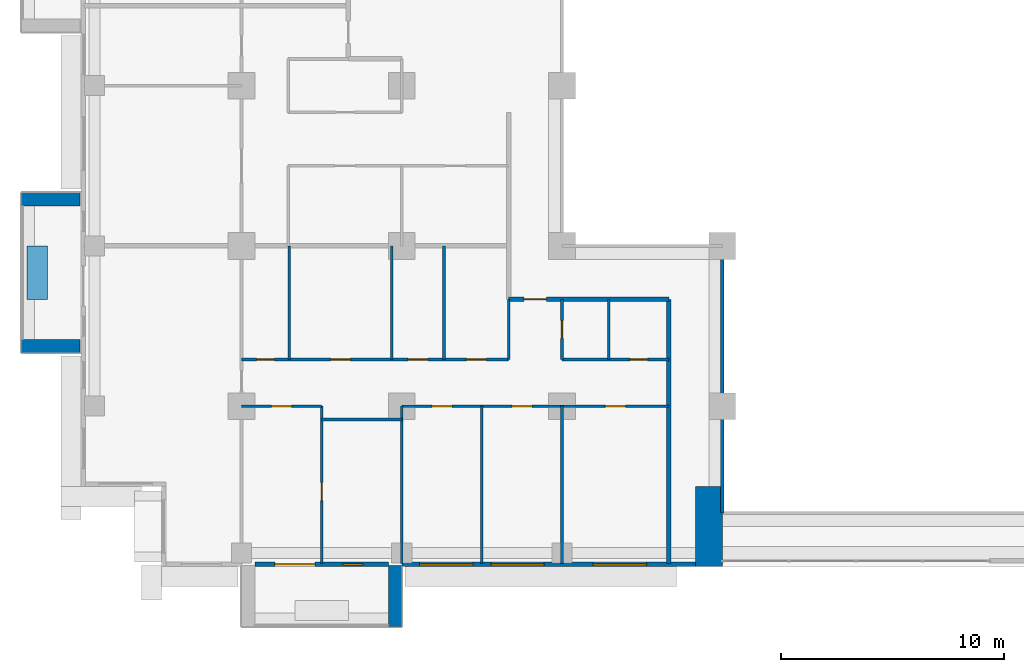
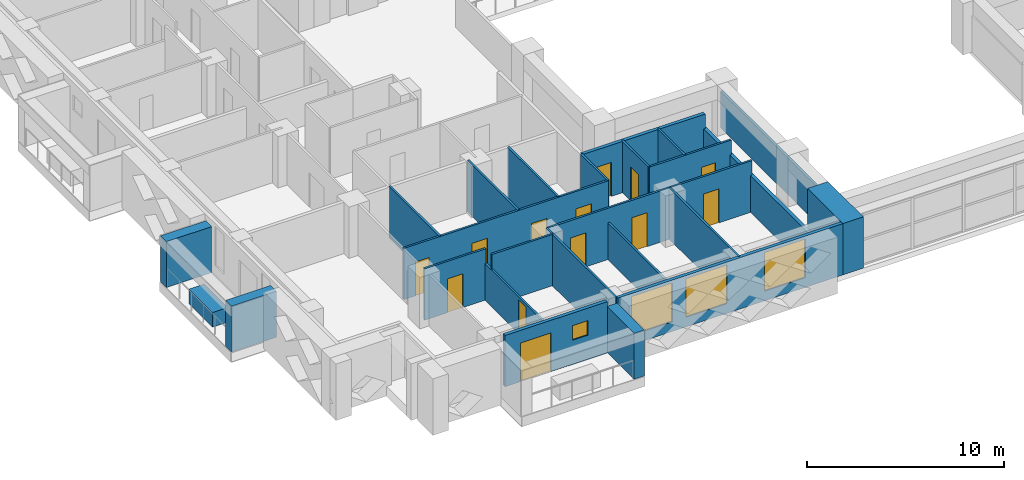
# One storey, part 6 of 17: 25 walls, 13 doors, 4 windows, 17 openings.
"""IFC4 building model written with IfcOpenShell, lengths in metres."""

import ifcopenshell
import ifcopenshell.guid

model = None  # the IFC model being written
_history = None  # IfcOwnerHistory: only IFC2X3 demands one
_inside = {}  # id of a spatial element -> (the spatial element, [elements in it])
_under = {}  # id of a project, library or spatial element -> (it, [spatial elements below it])
_declared = {}  # id of a project -> (the project, [libraries it declares])
_typed = {}  # id of a type object -> (the type object, [elements of that type])
_made_of = {}  # id of a material, layer set ... -> (it, [elements and type objects made of it])


def new_model(schema):
    """Start an empty IFC model of exactly this schema.

    Asked for "IFC4X3", IfcOpenShell would pick the latest addendum, in which some entities
    have other attributes; the version numbers below select the first issue.
    IFC2X3 requires an IfcOwnerHistory on every rooted entity: one is made here for all.
    """
    global model, _history
    if schema == "IFC4X3":
        model = ifcopenshell.file(schema_version=(4, 3, 0, 0))
    else:
        model = ifcopenshell.file(schema=schema)
    _inside.clear()
    _under.clear()
    _declared.clear()
    _typed.clear()
    _made_of.clear()
    _history = None
    if model.schema == "IFC2X3":
        org = make("IfcOrganization", Name="unknown")
        user = make(
            "IfcPersonAndOrganization",
            ThePerson=make("IfcPerson", FamilyName="unknown"),
            TheOrganization=org,
        )
        app = make(
            "IfcApplication",
            ApplicationDeveloper=org,
            Version="unknown",
            ApplicationFullName="unknown",
            ApplicationIdentifier="unknown",
        )
        _history = make(
            "IfcOwnerHistory",
            OwningUser=user,
            OwningApplication=app,
            ChangeAction="ADDED",
            CreationDate=0,
        )
    return model


def make(cls, **values):
    """One entity of the class cls with the attributes given. An attribute that is None is left unset."""
    return model.create_entity(
        cls, **{name: value for name, value in values.items() if value is not None}
    )


def rooted(cls, **values):
    """An entity with a GlobalId (a new one), such as an element, a storey or a relation."""
    return make(cls, GlobalId=ifcopenshell.guid.new(), OwnerHistory=_history, **values)


def si_unit(unit_type, name, prefix=None):
    """IfcSIUnit, for example si_unit("LENGTHUNIT", "METRE", prefix="MILLI")."""
    return make("IfcSIUnit", UnitType=unit_type, Prefix=prefix, Name=name)


def assignment(units):
    """IfcUnitAssignment: the units of a project."""
    return None if units is None else make("IfcUnitAssignment", Units=units)


def point(xyz):
    """IfcCartesianPoint."""
    return None if xyz is None else make("IfcCartesianPoint", Coordinates=xyz)


def direction(xyz):
    """IfcDirection."""
    return None if xyz is None else make("IfcDirection", DirectionRatios=xyz)


def frame(location, z_axis=None, x_axis=None):
    """IfcAxis2Placement3D, a coordinate frame: its origin and axes. An axis left out is left unset."""
    return make(
        "IfcAxis2Placement3D",
        Location=point(location),
        Axis=direction(z_axis),
        RefDirection=direction(x_axis),
    )


def frame_2d(location, x_axis=None):
    """IfcAxis2Placement2D, a coordinate frame in the plane: its origin and x axis."""
    return make(
        "IfcAxis2Placement2D", Location=point(location), RefDirection=direction(x_axis)
    )


def origin():
    """The frame at (0, 0, 0) with its axes left unset."""
    return frame((0.0, 0.0, 0.0))


def place(relative_to, where):
    """IfcLocalPlacement: puts the frame where relative to a parent placement (None: the world)."""
    return make(
        "IfcLocalPlacement", PlacementRelTo=relative_to, RelativePlacement=where
    )


def context(
    kind, dimensions, precision=None, world=None, true_north=None, identifier=None
):
    """IfcGeometricRepresentationContext, for example the 3D "Model" context."""
    return make(
        "IfcGeometricRepresentationContext",
        ContextIdentifier=identifier,
        ContextType=kind,
        CoordinateSpaceDimension=dimensions,
        Precision=precision,
        WorldCoordinateSystem=world,
        TrueNorth=true_north,
    )


def subcontext(parent, identifier, kind, view, scale=None):
    """IfcGeometricRepresentationSubContext, for example "Body" below "Model"."""
    return make(
        "IfcGeometricRepresentationSubContext",
        ContextIdentifier=identifier,
        ContextType=kind,
        ParentContext=parent,
        TargetScale=scale,
        TargetView=view,
    )


def project(units=None, contexts=None):
    """IfcProject with its units and contexts."""
    return rooted(
        "IfcProject",
        Name="project",
        RepresentationContexts=contexts,
        UnitsInContext=assignment(units),
    )


def spatial(cls, under=None, at=None, **own):
    """A site, building, storey or space (cls), placed at a placement, below another one or the project."""
    s = rooted(cls, ObjectPlacement=at, **own)
    if under is not None:
        _under.setdefault(under.id(), (under, []))[1].append(s)
    return s


def profile(cls, at=None, kind="AREA", **sizes):
    """A parametric profile (cls). Its sizes go by their IFC names, for example OverallWidth=200.0."""
    return make(cls, ProfileType=kind, Position=at, **sizes)


def rectangle(**sizes):
    """IfcRectangleProfileDef."""
    return profile("IfcRectangleProfileDef", **sizes)


def extrude(swept, where, along, depth):
    """IfcExtrudedAreaSolid: the profile swept, set in the frame where, extruded along a direction by depth."""
    return make(
        "IfcExtrudedAreaSolid",
        SweptArea=swept,
        Position=where,
        ExtrudedDirection=direction(along),
        Depth=depth,
    )


def shape(context_of_items, identifier, shape_type, items):
    """IfcShapeRepresentation: the items that make up one representation, for example the "Body"."""
    return make(
        "IfcShapeRepresentation",
        ContextOfItems=context_of_items,
        RepresentationIdentifier=identifier,
        RepresentationType=shape_type,
        Items=items,
    )


def material(Name=None, Category=None):
    """IfcMaterial."""
    return make("IfcMaterial", Name=Name, Category=Category)


def layer(
    of_material, thickness, ventilated=None, Name=None, Category=None, Priority=None
):
    """IfcMaterialLayer: one layer of a wall or slab, of a material (None: an air gap)."""
    return make(
        "IfcMaterialLayer",
        Material=of_material,
        LayerThickness=thickness,
        IsVentilated=ventilated,
        Name=Name,
        Category=Category,
        Priority=Priority,
    )


def layer_set(layers, Name=None):
    """IfcMaterialLayerSet."""
    return make("IfcMaterialLayerSet", MaterialLayers=layers, LayerSetName=Name)


def made_of(thing, what):
    """Note that an element or type object is made of a material, layer set ...; save() writes the relation."""
    if what is not None:
        _made_of.setdefault(what.id(), (what, []))[1].append(thing)
    return thing


def type_object(cls, material=None, **own):
    """A type object (cls), such as IfcWallType, which elements share."""
    return made_of(rooted(cls, **own), material)


def element(
    cls,
    number,
    at=None,
    inside=None,
    cuts=None,
    type_object=None,
    material=None,
    context=None,
    identifier="Body",
    shape_type=None,
    held_by="IfcProductDefinitionShape",
    body=None,
    shapes=None,
    **own,
):
    """One element of the class cls, such as IfcWall. Its Tag is "e" and its number.

    at: its placement. inside: the storey or other place that contains it. cuts: it is an
    opening in that element (IfcRelVoidsElement). A single representation is given by context,
    identifier, shape_type and body (its items); several are given by shapes. held_by: the class
    of the entity that holds the representations. save() writes the other relations.
    """
    e = rooted(cls, Tag="e%d" % number, ObjectPlacement=at, **own)
    if body is not None:
        shapes = [shape(context, identifier, shape_type, body)]
    if shapes is not None:
        e.Representation = make(held_by, Representations=shapes)
    if inside is not None:
        _inside.setdefault(inside.id(), (inside, []))[1].append(e)
    if cuts is not None:
        rooted(
            "IfcRelVoidsElement", RelatingBuildingElement=cuts, RelatedOpeningElement=e
        )
    if type_object is not None:
        _typed.setdefault(type_object.id(), (type_object, []))[1].append(e)
    return made_of(e, material)


def fill(opening, filler):
    """IfcRelFillsElement: the door or window that sits in an opening."""
    return rooted(
        "IfcRelFillsElement",
        RelatingOpeningElement=opening,
        RelatedBuildingElement=filler,
    )


def aggregate(whole, parts):
    """IfcRelAggregates: a whole, such as a stair, and the parts it consists of."""
    return rooted("IfcRelAggregates", RelatingObject=whole, RelatedObjects=parts)


def save(model, path):
    """Write the relations noted so far, then the file.

    IfcRelAggregates (storeys below a building ...), IfcRelContainedInSpatialStructure (elements
    in a storey), IfcRelDefinesByType, IfcRelAssociatesMaterial and IfcRelDeclares: one each for
    every whole, place, type object, material and project.
    """
    for whole, parts in _under.values():
        aggregate(whole, parts)
    for where, things in _inside.values():
        rooted(
            "IfcRelContainedInSpatialStructure",
            RelatedElements=things,
            RelatingStructure=where,
        )
    for kind, things in _typed.values():
        rooted("IfcRelDefinesByType", RelatedObjects=things, RelatingType=kind)
    for what, things in _made_of.values():
        rooted("IfcRelAssociatesMaterial", RelatedObjects=things, RelatingMaterial=what)
    for by, libraries in _declared.values():
        rooted("IfcRelDeclares", RelatingContext=by, RelatedDefinitions=libraries)
    model.write(path)


model = new_model("IFC4")

# Units and contexts
model_context = context("Model", 3, precision=1e-05, world=origin(), true_north=direction((0.0, 1.0)))
body_context = subcontext(model_context, "Body", "Model", "MODEL_VIEW")
ifc_project = project(units=[si_unit("LENGTHUNIT", "METRE"), si_unit("AREAUNIT", "SQUARE_METRE"), si_unit("VOLUMEUNIT", "CUBIC_METRE"), si_unit("PLANEANGLEUNIT", "RADIAN"), si_unit("MASSUNIT", "GRAM", prefix="KILO")], contexts=[model_context])

# Site, building, storey
site_placement = place(None, origin())
site = spatial("IfcSite", under=ifc_project, at=site_placement, CompositionType="ELEMENT")
building_placement = place(site_placement, origin())
building = spatial("IfcBuilding", under=site, at=building_placement, Name="Saffron Iwan Residences", CompositionType="ELEMENT")
storey_placement = place(building_placement, frame((0.0, 0.0, 93.5)))
storey = spatial("IfcBuildingStorey", under=building, at=storey_placement, Name="L24", CompositionType="ELEMENT", Elevation=93.5)

# Walls
ifc_material_1 = material(Name="Fire-rated glazing", Category="glass")
ifc_layer_1 = layer(ifc_material_1, 0.14990234375)
ifc_layer_set_1 = layer_set([ifc_layer_1], Name="Fire-rated glazing")
wall_type_1 = type_object("IfcWallType", Name="Atrium glazed screen 150", PredefinedType="SOLIDWALL", material=ifc_layer_set_1)
wall_1_placement = place(storey_placement, frame((43.199951171875, 36.0, 0.0), z_axis=(0.0, 0.0, 1.0), x_axis=(0.0, 1.0, 0.0)))
element("IfcWall", 1, at=wall_1_placement, inside=storey, type_object=wall_type_1, Name="W-L24-SCREEN-v43.2-36", PredefinedType="SOLIDWALL", context=body_context, shape_type="SweptSolid", body=[
    extrude(rectangle(XDim=12.0, YDim=0.14990234375, at=frame_2d((6.0, 0.0))), origin(), (0.0, 0.0, 1.0), 2.280029296875),
])
ifc_material_2 = material(Name="Concrete C50/60 white painted", Category="concrete")
ifc_layer_2 = layer(ifc_material_2, 0.60009765625)
ifc_layer_set_2 = layer_set([ifc_layer_2], Name="Concrete C50/60 white painted")
wall_type_2 = type_object("IfcWallType", Name="BALCONY FIN 600", PredefinedType="SOLIDWALL", material=ifc_layer_set_2)
for number, where, z_axis, x_axis, name in (
    (2, (14.35009765625, 50.10009765625, 0.0), (0.0, 0.0, 1.0), (-1.0, 0.0, 0.0), "Balcony fin L24 F8-1a"),
    (3, (14.35009765625, 43.5, 0.0), (0.0, 0.0, 1.0), (-1.0, 0.0, 0.0), "Balcony fin L24 F8-1b"),
):
    element("IfcWall", number, at=place(storey_placement, frame(where, z_axis=z_axis, x_axis=x_axis)), inside=storey, type_object=wall_type_2, Name=name, PredefinedType="SOLIDWALL", context=body_context, shape_type="SweptSolid", body=[
        extrude(rectangle(XDim=2.650146484375, YDim=0.60009765625, at=frame_2d((1.3251953125, 0.0))), origin(), (0.0, 0.0, 1.0), 2.85009765625),
    ])
wall_2_placement = place(storey_placement, frame((28.5, 33.64990234375, 0.0), z_axis=(0.0, 0.0, 1.0), x_axis=(0.0, -1.0, 0.0)))
element("IfcWall", 4, at=wall_2_placement, inside=storey, type_object=wall_type_2, Name="Balcony fin L24 11-0b", PredefinedType="SOLIDWALL", context=body_context, shape_type="SweptSolid", body=[
    extrude(rectangle(XDim=2.75, YDim=0.60009765625, at=frame_2d((1.375, 0.0))), origin(), (0.0, 0.0, 1.0), 2.85009765625),
])
ifc_material_3 = material(Name="Concrete C35/45 white painted", Category="concrete")
ifc_layer_3 = layer(ifc_material_3, 0.14990234375)
ifc_layer_set_3 = layer_set([ifc_layer_3], Name="Concrete C35/45 white painted")
wall_type_3 = type_object("IfcWallType", Name="BALCONY PLANTER", PredefinedType="SOLIDWALL", material=ifc_layer_set_3)
wall_3_placement = place(storey_placement, frame((12.425048828125, 48.0, 0.0), z_axis=(0.0, 0.0, 1.0), x_axis=(0.0, -1.0, 0.0)))
element("IfcWall", 5, at=wall_3_placement, inside=storey, type_object=wall_type_3, Name="PLANTER L24 F8-1", PredefinedType="SOLIDWALL", context=body_context, shape_type="SweptSolid", body=[
    extrude(rectangle(XDim=2.39990234375, YDim=0.89990234375, at=frame_2d((1.199951171875, 0.0))), origin(), (0.0, 0.0, 1.0), 0.89990234375),
])

# Wall, openings, door, window
ifc_material_4 = material(Name="Concrete C40/50", Category="concrete")
ifc_layer_4 = layer(ifc_material_4, 0.199951171875)
ifc_layer_set_4 = layer_set([ifc_layer_4], Name="Concrete C40/50")
wall_type_4 = type_object("IfcWallType", Name="EXTERNAL WALL 200", PredefinedType="SOLIDWALL", material=ifc_layer_set_4)
wall_4_placement = place(storey_placement, frame((22.199951171875, 33.699951171875, 0.0), z_axis=(0.0, 0.0, 1.0), x_axis=(1.0, 0.0, 0.0)))
wall_4 = element("IfcWall", 6, at=wall_4_placement, inside=storey, type_object=wall_type_4, Name="External wall L24 F11.1", PredefinedType="SOLIDWALL", context=body_context, shape_type="SweptSolid", body=[
    extrude(rectangle(XDim=6.0, YDim=0.199951171875, at=frame_2d((3.0, 0.0))), origin(), (0.0, 0.0, 1.0), 3.179931640625),
])
opening_1_placement = place(wall_4_placement, frame((0.89990234375, 0.0, 0.0)))
opening_1 = element("IfcOpeningElement", 7, at=opening_1_placement, cuts=wall_4, Name="Opening BD1", PredefinedType="OPENING", context=body_context, shape_type="SweptSolid", body=[
    extrude(rectangle(XDim=1.800048828125, YDim=2.39990234375, at=frame_2d((0.89990234375, 1.199951171875))), frame((0.0, 0.10986328125, 0.0), z_axis=(0.0, -1.0, 0.0), x_axis=(1.0, 0.0, 0.0)), (0.0, 0.0, 1.0), 0.219970703125),
])
opening_2_placement = place(wall_4_placement, frame((3.949951171875, 0.0, 1.5)))
opening_2 = element("IfcOpeningElement", 8, at=opening_2_placement, cuts=wall_4, Name="Opening W6", PredefinedType="OPENING", context=body_context, shape_type="SweptSolid", body=[
    extrude(rectangle(XDim=0.89990234375, YDim=0.89990234375, at=frame_2d((0.449951171875, 0.449951171875))), frame((0.0, 0.10986328125, 0.0), z_axis=(0.0, -1.0, 0.0), x_axis=(1.0, 0.0, 0.0)), (0.0, 0.0, 1.0), 0.219970703125),
])
ifc_material_5 = material(Name="Clear glass, laminated double glazed", Category="glass")
door_type_1 = type_object("IfcDoorType", Name="BALCONY DOOR 1800 x 2400", OperationType="DOUBLE_DOOR_SLIDING", PredefinedType="DOOR", material=ifc_material_5)
door_1_placement = place(opening_1_placement, origin())
door_1 = element("IfcDoor", 9, at=door_1_placement, inside=storey, type_object=door_type_1, Name="Balcony door L24 F11.0", OperationType="DOUBLE_DOOR_SLIDING", OverallHeight=2.39990234375, OverallWidth=1.800048828125, PredefinedType="DOOR", context=body_context, shape_type="SweptSolid", body=[
    extrude(rectangle(XDim=1.800048828125, YDim=2.39990234375, at=frame_2d((0.89990234375, 1.199951171875))), frame((0.0, 0.02490234375, 0.0), z_axis=(0.0, -1.0, 0.0), x_axis=(1.0, 0.0, 0.0)), (0.0, 0.0, 1.0), 0.050048828125),
])
fill(opening_1, door_1)
window_type_1 = type_object("IfcWindowType", Name="WINDOW 900 x 900 BATH", PartitioningType="SINGLE_PANEL", PredefinedType="WINDOW", material=ifc_material_5)
window_1_placement = place(opening_2_placement, origin())
window_1 = element("IfcWindow", 10, at=window_1_placement, inside=storey, type_object=window_type_1, Name="Window L24 F11.1", OverallHeight=0.89990234375, OverallWidth=0.89990234375, PartitioningType="SINGLE_PANEL", PredefinedType="WINDOW", context=body_context, shape_type="SweptSolid", body=[
    extrude(rectangle(XDim=0.89990234375, YDim=0.89990234375, at=frame_2d((0.449951171875, 0.449951171875))), frame((0.0, 0.030029296875, 0.0), z_axis=(0.0, -1.0, 0.0), x_axis=(1.0, 0.0, 0.0)), (0.0, 0.0, 1.0), 0.06005859375),
])
fill(opening_2, window_1)

# Wall, openings, windows
wall_5_placement = place(storey_placement, frame((28.800048828125, 33.699951171875, 0.0), z_axis=(0.0, 0.0, 1.0), x_axis=(1.0, 0.0, 0.0)))
wall_5 = element("IfcWall", 11, at=wall_5_placement, inside=storey, type_object=wall_type_4, Name="External wall L24 F11.2", PredefinedType="SOLIDWALL", context=body_context, shape_type="SweptSolid", body=[
    extrude(rectangle(XDim=13.199951171875, YDim=0.199951171875, at=frame_2d((6.60009765625, 0.0))), origin(), (0.0, 0.0, 1.0), 3.179931640625),
])
opening_3_placement = place(wall_5_placement, frame((0.800048828125, 0.0, 0.60009765625)))
opening_3 = element("IfcOpeningElement", 12, at=opening_3_placement, cuts=wall_5, Name="Opening W1", PredefinedType="OPENING", context=body_context, shape_type="SweptSolid", body=[
    extrude(rectangle(XDim=2.39990234375, YDim=2.39990234375, at=frame_2d((1.199951171875, 1.199951171875))), frame((0.0, 0.10986328125, 0.0), z_axis=(0.0, -1.0, 0.0), x_axis=(1.0, 0.0, 0.0)), (0.0, 0.0, 1.0), 0.219970703125),
])
opening_4_placement = place(wall_5_placement, frame((4.0, 0.0, 0.60009765625)))
opening_4 = element("IfcOpeningElement", 13, at=opening_4_placement, cuts=wall_5, Name="Opening W1", PredefinedType="OPENING", context=body_context, shape_type="SweptSolid", body=[
    extrude(rectangle(XDim=2.39990234375, YDim=2.39990234375, at=frame_2d((1.199951171875, 1.199951171875))), frame((0.0, 0.10986328125, 0.0), z_axis=(0.0, -1.0, 0.0), x_axis=(1.0, 0.0, 0.0)), (0.0, 0.0, 1.0), 0.219970703125),
])
opening_5_placement = place(wall_5_placement, frame((8.60009765625, 0.0, 0.60009765625)))
opening_5 = element("IfcOpeningElement", 14, at=opening_5_placement, cuts=wall_5, Name="Opening W1", PredefinedType="OPENING", context=body_context, shape_type="SweptSolid", body=[
    extrude(rectangle(XDim=2.39990234375, YDim=2.39990234375, at=frame_2d((1.199951171875, 1.199951171875))), frame((0.0, 0.10986328125, 0.0), z_axis=(0.0, -1.0, 0.0), x_axis=(1.0, 0.0, 0.0)), (0.0, 0.0, 1.0), 0.219970703125),
])
window_type_2 = type_object("IfcWindowType", Name="WINDOW 2400 x 2400", PartitioningType="DOUBLE_PANEL_VERTICAL", PredefinedType="WINDOW", material=ifc_material_5)
window_2_placement = place(opening_3_placement, origin())
window_2 = element("IfcWindow", 15, at=window_2_placement, inside=storey, type_object=window_type_2, Name="Window L24 F11.0", OverallHeight=2.39990234375, OverallWidth=2.39990234375, PartitioningType="DOUBLE_PANEL_VERTICAL", PredefinedType="WINDOW", context=body_context, shape_type="SweptSolid", body=[
    extrude(rectangle(XDim=2.39990234375, YDim=2.39990234375, at=frame_2d((1.199951171875, 1.199951171875))), frame((0.0, 0.030029296875, 0.0), z_axis=(0.0, -1.0, 0.0), x_axis=(1.0, 0.0, 0.0)), (0.0, 0.0, 1.0), 0.06005859375),
])
fill(opening_3, window_2)
window_3_placement = place(opening_4_placement, origin())
window_3 = element("IfcWindow", 16, at=window_3_placement, inside=storey, type_object=window_type_2, Name="Window L24 F11.1", OverallHeight=2.39990234375, OverallWidth=2.39990234375, PartitioningType="DOUBLE_PANEL_VERTICAL", PredefinedType="WINDOW", context=body_context, shape_type="SweptSolid", body=[
    extrude(rectangle(XDim=2.39990234375, YDim=2.39990234375, at=frame_2d((1.199951171875, 1.199951171875))), frame((0.0, 0.030029296875, 0.0), z_axis=(0.0, -1.0, 0.0), x_axis=(1.0, 0.0, 0.0)), (0.0, 0.0, 1.0), 0.06005859375),
])
fill(opening_4, window_3)
window_4_placement = place(opening_5_placement, origin())
window_4 = element("IfcWindow", 17, at=window_4_placement, inside=storey, type_object=window_type_2, Name="Window L24 F11.2", OverallHeight=2.39990234375, OverallWidth=2.39990234375, PartitioningType="DOUBLE_PANEL_VERTICAL", PredefinedType="WINDOW", context=body_context, shape_type="SweptSolid", body=[
    extrude(rectangle(XDim=2.39990234375, YDim=2.39990234375, at=frame_2d((1.199951171875, 1.199951171875))), frame((0.0, 0.030029296875, 0.0), z_axis=(0.0, -1.0, 0.0), x_axis=(1.0, 0.0, 0.0)), (0.0, 0.0, 1.0), 0.06005859375),
])
fill(opening_5, window_4)

# Wall
ifc_material_6 = material(Name="Gypsum board partition")
ifc_layer_5 = layer(ifc_material_6, 0.1201171875)
ifc_layer_set_5 = layer_set([ifc_layer_5], Name="Gypsum board partition")
wall_type_5 = type_object("IfcWallType", Name="Flat partition 120", PredefinedType="PARTITIONING", material=ifc_layer_set_5)
wall_6_placement = place(storey_placement, frame((25.199951171875, 40.199951171875, 0.0), z_axis=(0.0, 0.0, 1.0), x_axis=(1.0, 0.0, 0.0)))
element("IfcWall", 18, at=wall_6_placement, inside=storey, type_object=wall_type_5, Name="W-L24-PART-h40.2-25.2", PredefinedType="PARTITIONING", context=body_context, shape_type="SweptSolid", body=[
    extrude(rectangle(XDim=3.60009765625, YDim=0.1201171875, at=frame_2d((1.800048828125, 0.0))), origin(), (0.0, 0.0, 1.0), 3.179931640625),
])

# Wall, opening, door
wall_7_placement = place(storey_placement, frame((21.60009765625, 40.800048828125, 0.0), z_axis=(0.0, 0.0, 1.0), x_axis=(1.0, 0.0, 0.0)))
wall_7 = element("IfcWall", 19, at=wall_7_placement, inside=storey, type_object=wall_type_5, Name="W-L24-PART-h40.8-21.6", PredefinedType="PARTITIONING", context=body_context, shape_type="SweptSolid", body=[
    extrude(rectangle(XDim=3.599853515625, YDim=0.1201171875, at=frame_2d((1.7998046875, 0.0))), origin(), (0.0, 0.0, 1.0), 3.179931640625),
])
opening_6_placement = place(wall_7_placement, frame((1.35009765625, 0.0, 0.0)))
opening_6 = element("IfcOpeningElement", 20, at=opening_6_placement, cuts=wall_7, Name="Opening FD2", PredefinedType="OPENING", context=body_context, shape_type="SweptSolid", body=[
    extrude(rectangle(XDim=0.89990234375, YDim=2.10009765625, at=frame_2d((0.449951171875, 1.050048828125))), frame((0.0, 0.070068359375, 0.0), z_axis=(0.0, -1.0, 0.0), x_axis=(1.0, 0.0, 0.0)), (0.0, 0.0, 1.0), 0.14013671875),
])
ifc_material_7 = material(Name="Timber door", Category="wood")
door_type_2 = type_object("IfcDoorType", Name="Flat door 900", OperationType="NOTDEFINED", PredefinedType="DOOR", material=ifc_material_7)
door_2_placement = place(opening_6_placement, origin())
door_2 = element("IfcDoor", 21, at=door_2_placement, inside=storey, type_object=door_type_2, Name="Door L24-003", OperationType="SINGLE_SWING_LEFT", OverallHeight=2.10009765625, OverallWidth=0.89990234375, PredefinedType="DOOR", context=body_context, shape_type="SweptSolid", body=[
    extrude(rectangle(XDim=0.89990234375, YDim=2.10009765625, at=frame_2d((0.449951171875, 1.050048828125))), frame((0.0, 0.02490234375, 0.0), z_axis=(0.0, -1.0, 0.0), x_axis=(1.0, 0.0, 0.0)), (0.0, 0.0, 1.0), 0.050048828125),
])
fill(opening_6, door_2)

# Wall, openings, doors
wall_8_placement = place(storey_placement, frame((28.800048828125, 40.800048828125, 0.0), z_axis=(0.0, 0.0, 1.0), x_axis=(1.0, 0.0, 0.0)))
wall_8 = element("IfcWall", 22, at=wall_8_placement, inside=storey, type_object=wall_type_5, Name="W-L24-PART-h40.8-28.8", PredefinedType="PARTITIONING", context=body_context, shape_type="SweptSolid", body=[
    extrude(rectangle(XDim=12.0, YDim=0.1201171875, at=frame_2d((6.0, 0.0))), origin(), (0.0, 0.0, 1.0), 3.179931640625),
])
opening_7_placement = place(wall_8_placement, frame((1.35009765625, 0.0, 0.0)))
opening_7 = element("IfcOpeningElement", 23, at=opening_7_placement, cuts=wall_8, Name="Opening FD2", PredefinedType="OPENING", context=body_context, shape_type="SweptSolid", body=[
    extrude(rectangle(XDim=0.89990234375, YDim=2.10009765625, at=frame_2d((0.449951171875, 1.050048828125))), frame((0.0, 0.070068359375, 0.0), z_axis=(0.0, -1.0, 0.0), x_axis=(1.0, 0.0, 0.0)), (0.0, 0.0, 1.0), 0.14013671875),
])
opening_8_placement = place(wall_8_placement, frame((4.949951171875, 0.0, 0.0)))
opening_8 = element("IfcOpeningElement", 24, at=opening_8_placement, cuts=wall_8, Name="Opening FD2", PredefinedType="OPENING", context=body_context, shape_type="SweptSolid", body=[
    extrude(rectangle(XDim=0.89990234375, YDim=2.10009765625, at=frame_2d((0.449951171875, 1.050048828125))), frame((0.0, 0.070068359375, 0.0), z_axis=(0.0, -1.0, 0.0), x_axis=(1.0, 0.0, 0.0)), (0.0, 0.0, 1.0), 0.14013671875),
])
opening_9_placement = place(wall_8_placement, frame((9.14990234375, 0.0, 0.0)))
opening_9 = element("IfcOpeningElement", 25, at=opening_9_placement, cuts=wall_8, Name="Opening FD2", PredefinedType="OPENING", context=body_context, shape_type="SweptSolid", body=[
    extrude(rectangle(XDim=0.89990234375, YDim=2.10009765625, at=frame_2d((0.449951171875, 1.050048828125))), frame((0.0, 0.070068359375, 0.0), z_axis=(0.0, -1.0, 0.0), x_axis=(1.0, 0.0, 0.0)), (0.0, 0.0, 1.0), 0.14013671875),
])
door_3_placement = place(opening_7_placement, origin())
door_3 = element("IfcDoor", 26, at=door_3_placement, inside=storey, type_object=door_type_2, Name="Door L24-005", OperationType="SINGLE_SWING_LEFT", OverallHeight=2.10009765625, OverallWidth=0.89990234375, PredefinedType="DOOR", context=body_context, shape_type="SweptSolid", body=[
    extrude(rectangle(XDim=0.89990234375, YDim=2.10009765625, at=frame_2d((0.449951171875, 1.050048828125))), frame((0.0, 0.02490234375, 0.0), z_axis=(0.0, -1.0, 0.0), x_axis=(1.0, 0.0, 0.0)), (0.0, 0.0, 1.0), 0.050048828125),
])
fill(opening_7, door_3)
door_4_placement = place(opening_8_placement, origin())
door_4 = element("IfcDoor", 27, at=door_4_placement, inside=storey, type_object=door_type_2, Name="Door L24-006", OperationType="SINGLE_SWING_LEFT", OverallHeight=2.10009765625, OverallWidth=0.89990234375, PredefinedType="DOOR", context=body_context, shape_type="SweptSolid", body=[
    extrude(rectangle(XDim=0.89990234375, YDim=2.10009765625, at=frame_2d((0.449951171875, 1.050048828125))), frame((0.0, 0.02490234375, 0.0), z_axis=(0.0, -1.0, 0.0), x_axis=(1.0, 0.0, 0.0)), (0.0, 0.0, 1.0), 0.050048828125),
])
fill(opening_8, door_4)
door_5_placement = place(opening_9_placement, origin())
door_5 = element("IfcDoor", 28, at=door_5_placement, inside=storey, type_object=door_type_2, Name="Door L24-007", OperationType="SINGLE_SWING_RIGHT", OverallHeight=2.10009765625, OverallWidth=0.89990234375, PredefinedType="DOOR", context=body_context, shape_type="SweptSolid", body=[
    extrude(rectangle(XDim=0.89990234375, YDim=2.10009765625, at=frame_2d((0.449951171875, 1.050048828125))), frame((0.0, 0.02490234375, 0.0), z_axis=(0.0, -1.0, 0.0), x_axis=(1.0, 0.0, 0.0)), (0.0, 0.0, 1.0), 0.050048828125),
])
fill(opening_9, door_5)

wall_9_placement = place(storey_placement, frame((21.60009765625, 42.89990234375, 0.0), z_axis=(0.0, 0.0, 1.0), x_axis=(1.0, 0.0, 0.0)))
wall_9 = element("IfcWall", 29, at=wall_9_placement, inside=storey, type_object=wall_type_5, Name="W-L24-PART-h42.9-21.6", PredefinedType="PARTITIONING", context=body_context, shape_type="SweptSolid", body=[
    extrude(rectangle(XDim=12.0, YDim=0.1201171875, at=frame_2d((6.0, 0.0))), origin(), (0.0, 0.0, 1.0), 3.179931640625),
])
opening_10_placement = place(wall_9_placement, frame((0.675048828125, 0.0, 0.0)))
opening_10 = element("IfcOpeningElement", 30, at=opening_10_placement, cuts=wall_9, Name="Opening FD3", PredefinedType="OPENING", context=body_context, shape_type="SweptSolid", body=[
    extrude(rectangle(XDim=0.800048828125, YDim=2.10009765625, at=frame_2d((0.39990234375, 1.050048828125))), frame((0.0, 0.070068359375, 0.0), z_axis=(0.0, -1.0, 0.0), x_axis=(1.0, 0.0, 0.0)), (0.0, 0.0, 1.0), 0.14013671875),
])
opening_11_placement = place(wall_9_placement, frame((4.0, 0.0, 0.0)))
opening_11 = element("IfcOpeningElement", 31, at=opening_11_placement, cuts=wall_9, Name="Opening FD2", PredefinedType="OPENING", context=body_context, shape_type="SweptSolid", body=[
    extrude(rectangle(XDim=0.89990234375, YDim=2.10009765625, at=frame_2d((0.449951171875, 1.050048828125))), frame((0.0, 0.070068359375, 0.0), z_axis=(0.0, -1.0, 0.0), x_axis=(1.0, 0.0, 0.0)), (0.0, 0.0, 1.0), 0.14013671875),
])
opening_12_placement = place(wall_9_placement, frame((7.47509765625, 0.0, 0.0)))
opening_12 = element("IfcOpeningElement", 32, at=opening_12_placement, cuts=wall_9, Name="Opening FD2", PredefinedType="OPENING", context=body_context, shape_type="SweptSolid", body=[
    extrude(rectangle(XDim=0.89990234375, YDim=2.10009765625, at=frame_2d((0.449951171875, 1.050048828125))), frame((0.0, 0.070068359375, 0.0), z_axis=(0.0, -1.0, 0.0), x_axis=(1.0, 0.0, 0.0)), (0.0, 0.0, 1.0), 0.14013671875),
])
opening_13_placement = place(wall_9_placement, frame((10.10009765625, 0.0, 0.0)))
opening_13 = element("IfcOpeningElement", 33, at=opening_13_placement, cuts=wall_9, Name="Opening FD2", PredefinedType="OPENING", context=body_context, shape_type="SweptSolid", body=[
    extrude(rectangle(XDim=0.89990234375, YDim=2.10009765625, at=frame_2d((0.449951171875, 1.050048828125))), frame((0.0, 0.070068359375, 0.0), z_axis=(0.0, -1.0, 0.0), x_axis=(1.0, 0.0, 0.0)), (0.0, 0.0, 1.0), 0.14013671875),
])
door_type_3 = type_object("IfcDoorType", Name="Bathroom door 800", OperationType="NOTDEFINED", PredefinedType="DOOR", material=ifc_material_7)
door_6_placement = place(opening_10_placement, origin())
door_6 = element("IfcDoor", 34, at=door_6_placement, inside=storey, type_object=door_type_3, Name="Door L24-008", OperationType="SINGLE_SWING_LEFT", OverallHeight=2.10009765625, OverallWidth=0.800048828125, PredefinedType="DOOR", context=body_context, shape_type="SweptSolid", body=[
    extrude(rectangle(XDim=0.800048828125, YDim=2.10009765625, at=frame_2d((0.39990234375, 1.050048828125))), frame((0.0, 0.02490234375, 0.0), z_axis=(0.0, -1.0, 0.0), x_axis=(1.0, 0.0, 0.0)), (0.0, 0.0, 1.0), 0.050048828125),
])
fill(opening_10, door_6)
door_7_placement = place(opening_11_placement, origin())
door_7 = element("IfcDoor", 35, at=door_7_placement, inside=storey, type_object=door_type_2, Name="Door L24-009", OperationType="SINGLE_SWING_LEFT", OverallHeight=2.10009765625, OverallWidth=0.89990234375, PredefinedType="DOOR", context=body_context, shape_type="SweptSolid", body=[
    extrude(rectangle(XDim=0.89990234375, YDim=2.10009765625, at=frame_2d((0.449951171875, 1.050048828125))), frame((0.0, 0.02490234375, 0.0), z_axis=(0.0, -1.0, 0.0), x_axis=(1.0, 0.0, 0.0)), (0.0, 0.0, 1.0), 0.050048828125),
])
fill(opening_11, door_7)
door_8_placement = place(opening_12_placement, origin())
door_8 = element("IfcDoor", 36, at=door_8_placement, inside=storey, type_object=door_type_2, Name="Door L24-010", OperationType="SINGLE_SWING_RIGHT", OverallHeight=2.10009765625, OverallWidth=0.89990234375, PredefinedType="DOOR", context=body_context, shape_type="SweptSolid", body=[
    extrude(rectangle(XDim=0.89990234375, YDim=2.10009765625, at=frame_2d((0.449951171875, 1.050048828125))), frame((0.0, 0.02490234375, 0.0), z_axis=(0.0, -1.0, 0.0), x_axis=(1.0, 0.0, 0.0)), (0.0, 0.0, 1.0), 0.050048828125),
])
fill(opening_12, door_8)
door_9_placement = place(opening_13_placement, origin())
door_9 = element("IfcDoor", 37, at=door_9_placement, inside=storey, type_object=door_type_2, Name="Door L24-011", OperationType="SINGLE_SWING_LEFT", OverallHeight=2.10009765625, OverallWidth=0.89990234375, PredefinedType="DOOR", context=body_context, shape_type="SweptSolid", body=[
    extrude(rectangle(XDim=0.89990234375, YDim=2.10009765625, at=frame_2d((0.449951171875, 1.050048828125))), frame((0.0, 0.02490234375, 0.0), z_axis=(0.0, -1.0, 0.0), x_axis=(1.0, 0.0, 0.0)), (0.0, 0.0, 1.0), 0.050048828125),
])
fill(opening_13, door_9)

# Wall, opening, door
wall_10_placement = place(storey_placement, frame((36.0, 42.89990234375, 0.0), z_axis=(0.0, 0.0, 1.0), x_axis=(1.0, 0.0, 0.0)))
wall_10 = element("IfcWall", 38, at=wall_10_placement, inside=storey, type_object=wall_type_5, Name="W-L24-PART-h42.9-36", PredefinedType="PARTITIONING", context=body_context, shape_type="SweptSolid", body=[
    extrude(rectangle(XDim=4.800048828125, YDim=0.1201171875, at=frame_2d((2.39990234375, 0.0))), origin(), (0.0, 0.0, 1.0), 3.179931640625),
])
opening_14_placement = place(wall_10_placement, frame((3.050048828125, 0.0, 0.0)))
opening_14 = element("IfcOpeningElement", 39, at=opening_14_placement, cuts=wall_10, Name="Opening FD3", PredefinedType="OPENING", context=body_context, shape_type="SweptSolid", body=[
    extrude(rectangle(XDim=0.800048828125, YDim=2.10009765625, at=frame_2d((0.39990234375, 1.050048828125))), frame((0.0, 0.070068359375, 0.0), z_axis=(0.0, -1.0, 0.0), x_axis=(1.0, 0.0, 0.0)), (0.0, 0.0, 1.0), 0.14013671875),
])
door_10_placement = place(opening_14_placement, origin())
door_10 = element("IfcDoor", 40, at=door_10_placement, inside=storey, type_object=door_type_3, Name="Door L24-013", OperationType="SINGLE_SWING_RIGHT", OverallHeight=2.10009765625, OverallWidth=0.800048828125, PredefinedType="DOOR", context=body_context, shape_type="SweptSolid", body=[
    extrude(rectangle(XDim=0.800048828125, YDim=2.10009765625, at=frame_2d((0.39990234375, 1.050048828125))), frame((0.0, 0.02490234375, 0.0), z_axis=(0.0, -1.0, 0.0), x_axis=(1.0, 0.0, 0.0)), (0.0, 0.0, 1.0), 0.050048828125),
])
fill(opening_14, door_10)

# Wall
wall_11_placement = place(storey_placement, frame((23.75, 42.89990234375, 0.0), z_axis=(0.0, 0.0, 1.0), x_axis=(0.0, 1.0, 0.0)))
element("IfcWall", 41, at=wall_11_placement, inside=storey, type_object=wall_type_5, Name="W-L24-PART-v23.75-42.9", PredefinedType="PARTITIONING", context=body_context, shape_type="SweptSolid", body=[
    extrude(rectangle(XDim=5.10009765625, YDim=0.1201171875, at=frame_2d((2.550048828125, 0.0))), origin(), (0.0, 0.0, 1.0), 3.179931640625),
])

# Wall, opening, door
wall_12_placement = place(storey_placement, frame((25.199951171875, 33.72509765625, 0.0), z_axis=(0.0, 0.0, 1.0), x_axis=(0.0, 1.0, 0.0)))
wall_12 = element("IfcWall", 42, at=wall_12_placement, inside=storey, type_object=wall_type_5, Name="W-L24-PART-v25.2-33.725", PredefinedType="PARTITIONING", context=body_context, shape_type="SweptSolid", body=[
    extrude(rectangle(XDim=7.074951171875, YDim=0.1201171875, at=frame_2d((3.53759765625, 0.0))), origin(), (0.0, 0.0, 1.0), 2.280029296875),
])
opening_15_placement = place(wall_12_placement, frame((2.83740234375, 0.0, 0.0)))
opening_15 = element("IfcOpeningElement", 43, at=opening_15_placement, cuts=wall_12, Name="Opening FD3", PredefinedType="OPENING", context=body_context, shape_type="SweptSolid", body=[
    extrude(rectangle(XDim=0.800048828125, YDim=2.10009765625, at=frame_2d((0.39990234375, 1.050048828125))), frame((0.0, 0.070068359375, 0.0), z_axis=(0.0, -1.0, 0.0), x_axis=(1.0, 0.0, 0.0)), (0.0, 0.0, 1.0), 0.14013671875),
])
door_11_placement = place(opening_15_placement, origin())
door_11 = element("IfcDoor", 44, at=door_11_placement, inside=storey, type_object=door_type_3, Name="Door L24-004", OperationType="SINGLE_SWING_RIGHT", OverallHeight=2.10009765625, OverallWidth=0.800048828125, PredefinedType="DOOR", context=body_context, shape_type="SweptSolid", body=[
    extrude(rectangle(XDim=0.800048828125, YDim=2.10009765625, at=frame_2d((0.39990234375, 1.050048828125))), frame((0.0, 0.02490234375, 0.0), z_axis=(0.0, -1.0, 0.0), x_axis=(1.0, 0.0, 0.0)), (0.0, 0.0, 1.0), 0.050048828125),
])
fill(opening_15, door_11)

# Walls
wall_13_placement = place(storey_placement, frame((28.35009765625, 42.89990234375, 0.0), z_axis=(0.0, 0.0, 1.0), x_axis=(0.0, 1.0, 0.0)))
element("IfcWall", 45, at=wall_13_placement, inside=storey, type_object=wall_type_5, Name="W-L24-PART-v28.35-42.9", PredefinedType="PARTITIONING", context=body_context, shape_type="SweptSolid", body=[
    extrude(rectangle(XDim=5.10009765625, YDim=0.1201171875, at=frame_2d((2.550048828125, 0.0))), origin(), (0.0, 0.0, 1.0), 3.179931640625),
])
wall_14_placement = place(storey_placement, frame((28.800048828125, 33.72509765625, 0.0), z_axis=(0.0, 0.0, 1.0), x_axis=(0.0, 1.0, 0.0)))
element("IfcWall", 46, at=wall_14_placement, inside=storey, type_object=wall_type_5, Name="W-L24-PART-v28.8-33.725", PredefinedType="PARTITIONING", context=body_context, shape_type="SweptSolid", body=[
    extrude(rectangle(XDim=7.074951171875, YDim=0.1201171875, at=frame_2d((3.53759765625, 0.0))), origin(), (0.0, 0.0, 1.0), 3.179931640625),
])
wall_15_placement = place(storey_placement, frame((30.699951171875, 42.89990234375, 0.0), z_axis=(0.0, 0.0, 1.0), x_axis=(0.0, 1.0, 0.0)))
element("IfcWall", 47, at=wall_15_placement, inside=storey, type_object=wall_type_5, Name="W-L24-PART-v30.7-42.9", PredefinedType="PARTITIONING", context=body_context, shape_type="SweptSolid", body=[
    extrude(rectangle(XDim=5.10009765625, YDim=0.1201171875, at=frame_2d((2.550048828125, 0.0))), origin(), (0.0, 0.0, 1.0), 3.179931640625),
])
wall_16_placement = place(storey_placement, frame((32.39990234375, 33.72509765625, 0.0), z_axis=(0.0, 0.0, 1.0), x_axis=(0.0, 1.0, 0.0)))
element("IfcWall", 48, at=wall_16_placement, inside=storey, type_object=wall_type_5, Name="W-L24-PART-v32.4-33.725", PredefinedType="PARTITIONING", context=body_context, shape_type="SweptSolid", body=[
    extrude(rectangle(XDim=7.074951171875, YDim=0.1201171875, at=frame_2d((3.53759765625, 0.0))), origin(), (0.0, 0.0, 1.0), 2.280029296875),
])
wall_17_placement = place(storey_placement, frame((33.60009765625, 42.89990234375, 0.0), z_axis=(0.0, 0.0, 1.0), x_axis=(0.0, 1.0, 0.0)))
element("IfcWall", 49, at=wall_17_placement, inside=storey, type_object=wall_type_5, Name="W-L24-PART-v33.6-42.9", PredefinedType="PARTITIONING", context=body_context, shape_type="SweptSolid", body=[
    extrude(rectangle(XDim=2.7001953125, YDim=0.1201171875, at=frame_2d((1.35009765625, 0.0))), origin(), (0.0, 0.0, 1.0), 3.179931640625),
])
wall_18_placement = place(storey_placement, frame((36.0, 33.72509765625, 0.0), z_axis=(0.0, 0.0, 1.0), x_axis=(0.0, 1.0, 0.0)))
element("IfcWall", 50, at=wall_18_placement, inside=storey, type_object=wall_type_5, Name="W-L24-PART-v36-33.725", PredefinedType="PARTITIONING", context=body_context, shape_type="SweptSolid", body=[
    extrude(rectangle(XDim=7.074951171875, YDim=0.1201171875, at=frame_2d((3.53759765625, 0.0))), origin(), (0.0, 0.0, 1.0), 3.179931640625),
])

# Wall, opening, door
wall_19_placement = place(storey_placement, frame((36.0, 42.89990234375, 0.0), z_axis=(0.0, 0.0, 1.0), x_axis=(0.0, 1.0, 0.0)))
wall_19 = element("IfcWall", 51, at=wall_19_placement, inside=storey, type_object=wall_type_5, Name="W-L24-PART-v36-42.9", PredefinedType="PARTITIONING", context=body_context, shape_type="SweptSolid", body=[
    extrude(rectangle(XDim=2.7001953125, YDim=0.1201171875, at=frame_2d((1.35009765625, 0.0))), origin(), (0.0, 0.0, 1.0), 3.179931640625),
])
opening_16_placement = place(wall_19_placement, frame((0.949951171875, 0.0, 0.0)))
opening_16 = element("IfcOpeningElement", 52, at=opening_16_placement, cuts=wall_19, Name="Opening FD3", PredefinedType="OPENING", context=body_context, shape_type="SweptSolid", body=[
    extrude(rectangle(XDim=0.800048828125, YDim=2.10009765625, at=frame_2d((0.39990234375, 1.050048828125))), frame((0.0, 0.070068359375, 0.0), z_axis=(0.0, -1.0, 0.0), x_axis=(1.0, 0.0, 0.0)), (0.0, 0.0, 1.0), 0.14013671875),
])
door_12_placement = place(opening_16_placement, origin())
door_12 = element("IfcDoor", 53, at=door_12_placement, inside=storey, type_object=door_type_3, Name="Door L24-012", OperationType="SINGLE_SWING_LEFT", OverallHeight=2.10009765625, OverallWidth=0.800048828125, PredefinedType="DOOR", context=body_context, shape_type="SweptSolid", body=[
    extrude(rectangle(XDim=0.800048828125, YDim=2.10009765625, at=frame_2d((0.39990234375, 1.050048828125))), frame((0.0, 0.02490234375, 0.0), z_axis=(0.0, -1.0, 0.0), x_axis=(1.0, 0.0, 0.0)), (0.0, 0.0, 1.0), 0.050048828125),
])
fill(opening_16, door_12)

# Wall
wall_20_placement = place(storey_placement, frame((38.10009765625, 42.89990234375, 0.0), z_axis=(0.0, 0.0, 1.0), x_axis=(0.0, 1.0, 0.0)))
element("IfcWall", 54, at=wall_20_placement, inside=storey, type_object=wall_type_5, Name="W-L24-PART-v38.1-42.9", PredefinedType="PARTITIONING", context=body_context, shape_type="SweptSolid", body=[
    extrude(rectangle(XDim=2.7001953125, YDim=0.1201171875, at=frame_2d((1.35009765625, 0.0))), origin(), (0.0, 0.0, 1.0), 3.179931640625),
])

# Wall, opening, door
ifc_material_8 = material(Name="Fire-rated gypsum board wall")
ifc_layer_6 = layer(ifc_material_8, 0.199951171875)
ifc_layer_set_6 = layer_set([ifc_layer_6], Name="Fire-rated gypsum board wall")
wall_type_6 = type_object("IfcWallType", Name="Gallery wall 200", PredefinedType="SOLIDWALL", material=ifc_layer_set_6)
wall_21_placement = place(storey_placement, frame((33.60009765625, 45.60009765625, 0.0), z_axis=(0.0, 0.0, 1.0), x_axis=(1.0, 0.0, 0.0)))
wall_21 = element("IfcWall", 55, at=wall_21_placement, inside=storey, type_object=wall_type_6, Name="W-L24-CORR-h45.6-33.6", PredefinedType="SOLIDWALL", context=body_context, shape_type="SweptSolid", body=[
    extrude(rectangle(XDim=7.199951171875, YDim=0.199951171875, at=frame_2d((3.60009765625, 0.0))), origin(), (0.0, 0.0, 1.0), 3.179931640625),
])
opening_17_placement = place(wall_21_placement, frame((0.699951171875, 0.0, 0.0)))
opening_17 = element("IfcOpeningElement", 56, at=opening_17_placement, cuts=wall_21, Name="Opening FD1", PredefinedType="OPENING", context=body_context, shape_type="SweptSolid", body=[
    extrude(rectangle(XDim=1.0, YDim=2.10009765625, at=frame_2d((0.5, 1.050048828125))), frame((0.0, 0.10986328125, 0.0), z_axis=(0.0, -1.0, 0.0), x_axis=(1.0, 0.0, 0.0)), (0.0, 0.0, 1.0), 0.219970703125),
])
ifc_material_9 = material(Name="Fire-rated timber door", Category="wood")
door_type_4 = type_object("IfcDoorType", Name="FD30S flat entrance door 1000", OperationType="NOTDEFINED", PredefinedType="DOOR", material=ifc_material_9)
door_13_placement = place(opening_17_placement, origin())
door_13 = element("IfcDoor", 57, at=door_13_placement, inside=storey, type_object=door_type_4, Name="Door L24-001", OperationType="SINGLE_SWING_RIGHT", OverallHeight=2.10009765625, OverallWidth=1.0, PredefinedType="DOOR", context=body_context, shape_type="SweptSolid", body=[
    extrude(rectangle(XDim=1.0, YDim=2.10009765625, at=frame_2d((0.5, 1.050048828125))), frame((0.0, 0.02490234375, 0.0), z_axis=(0.0, -1.0, 0.0), x_axis=(1.0, 0.0, 0.0)), (0.0, 0.0, 1.0), 0.050048828125),
])
fill(opening_17, door_13)

# Walls
wall_22_placement = place(storey_placement, frame((40.800048828125, 33.72509765625, 0.0), z_axis=(0.0, 0.0, 1.0), x_axis=(0.0, 1.0, 0.0)))
element("IfcWall", 58, at=wall_22_placement, inside=storey, type_object=wall_type_6, Name="W-L24-CORR-v40.8-33.725", PredefinedType="SOLIDWALL", context=body_context, shape_type="SweptSolid", body=[
    extrude(rectangle(XDim=11.875, YDim=0.199951171875, at=frame_2d((5.9375, 0.0))), origin(), (0.0, 0.0, 1.0), 2.280029296875),
])
ifc_material_10 = material(Name="Concrete C60/75", Category="concrete")
ifc_layer_7 = layer(ifc_material_10, 1.199951171875)
ifc_layer_set_7 = layer_set([ifc_layer_7], Name="Concrete C60/75")
wall_type_7 = type_object("IfcWallType", Name="WALL IWAN PIER 1200 C60/75 3180 HIGH", PredefinedType="SHEAR", material=ifc_layer_set_7)
wall_23_placement = place(storey_placement, frame((42.60009765625, 33.60009765625, 0.0), z_axis=(0.0, 0.0, 1.0), x_axis=(0.0, 1.0, 0.0)))
element("IfcWall", 59, at=wall_23_placement, inside=storey, type_object=wall_type_7, Name="IWAN PIER", PredefinedType="SHEAR", context=body_context, shape_type="SweptSolid", body=[
    extrude(rectangle(XDim=3.599853515625, YDim=1.199951171875, at=frame_2d((1.7998046875, 0.0))), origin(), (0.0, 0.0, 1.0), 3.179931640625),
])

save(model, "model.ifc")
